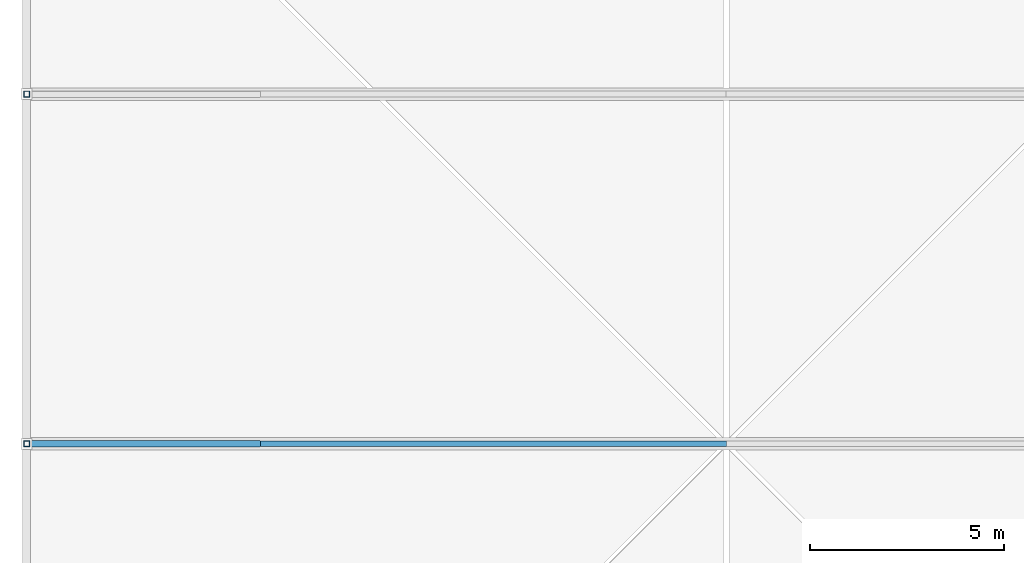
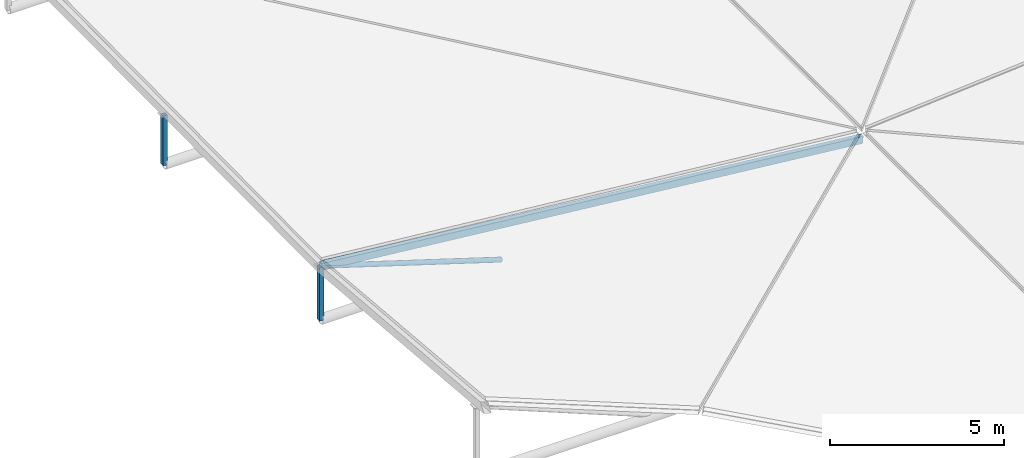
# One storey, part 29 of 44: 4 members.
"""IFC4 building model written with IfcOpenShell, lengths in metres."""

from ifc_helpers import new_model, si_unit, direction, frame, origin, origin_2d, place, context, subcontext, project, spatial, hollow_rectangle, hollow_circle, extrude, material, material_profile, profile_set, type_object, element, save


model = new_model("IFC4")

# Units and contexts
model_context = context("Model", 3, precision=1e-05, world=origin(), true_north=direction((0.0, 1.0)))
body_context = subcontext(model_context, "Body", "Model", "MODEL_VIEW")
ifc_project = project(units=[si_unit("LENGTHUNIT", "METRE"), si_unit("AREAUNIT", "SQUARE_METRE"), si_unit("VOLUMEUNIT", "CUBIC_METRE"), si_unit("PLANEANGLEUNIT", "RADIAN"), si_unit("MASSUNIT", "GRAM", prefix="KILO")], contexts=[model_context])

# Site, building, storey
site_placement = place(None, origin())
site = spatial("IfcSite", under=ifc_project, at=site_placement, CompositionType="ELEMENT")
building_placement = place(site_placement, origin())
building = spatial("IfcBuilding", under=site, at=building_placement, Name="Deido Ridge Mobility Hub", CompositionType="ELEMENT")
storey_placement = place(building_placement, frame((0.0, 0.0, 25.199951171875)))
storey = spatial("IfcBuildingStorey", under=building, at=storey_placement, Name="L06", CompositionType="ELEMENT", Elevation=25.199951171875)

# Members
ifc_material = material(Name="Steel S355J2H EN 10210-1", Category="steel")
ifc_material_profile_1 = material_profile(ifc_material, hollow_rectangle(XDim=0.14990234375, YDim=0.14990234375, WallThickness=0.008056640625, at=origin_2d()), Name="SHS 150x150x8")
ifc_profile_set_1 = profile_set([ifc_material_profile_1], Name="Steel S355J2H EN 10210-1")
member_type_1 = type_object("IfcMemberType", Name="MEM-PST-SHS150", PredefinedType="POST", material=ifc_profile_set_1)
member_1_placement = place(storey_placement, frame((63.0, 63.0, 0.0), z_axis=(0.0, 0.0, 1.0), x_axis=(1.0, 0.0, 0.0)))
element("IfcMember", 1, at=member_1_placement, inside=storey, type_object=member_type_1, Name="Origami eaves post PS1", PredefinedType="POST", context=body_context, shape_type="SweptSolid", body=[
    extrude(hollow_rectangle(XDim=0.14990234375, YDim=0.14990234375, WallThickness=0.008056640625, at=origin_2d()), origin(), (0.0, 0.0, 1.0), 1.880126953125),
])
member_2_placement = place(storey_placement, frame((63.0, 72.0, 0.0), z_axis=(0.0, 0.0, 1.0), x_axis=(1.0, 0.0, 0.0)))
element("IfcMember", 2, at=member_2_placement, inside=storey, type_object=member_type_1, Name="Origami eaves post PS1", PredefinedType="POST", context=body_context, shape_type="SweptSolid", body=[
    extrude(hollow_rectangle(XDim=0.14990234375, YDim=0.14990234375, WallThickness=0.008056640625, at=origin_2d()), origin(), (0.0, 0.0, 1.0), 1.75),
])
ifc_material_profile_2 = material_profile(ifc_material, hollow_rectangle(XDim=0.14990234375, YDim=0.25, WallThickness=0.010009765625, at=origin_2d()), Name="RHS 250x150x10")
ifc_profile_set_2 = profile_set([ifc_material_profile_2], Name="Steel S355J2H EN 10210-1")
member_type_2 = type_object("IfcMemberType", Name="MEM-RAF-RHS250", PredefinedType="RAFTER", material=ifc_profile_set_2)
member_3_placement = place(storey_placement, frame((63.0, 63.0, 1.880126953125), z_axis=(0.994871231136, 0.0, -0.10114955985), x_axis=(0.0, 1.0, 0.0)))
element("IfcMember", 3, at=member_3_placement, inside=storey, type_object=member_type_2, Name="Sports origami rafter RF1", PredefinedType="RAFTER", context=body_context, shape_type="SweptSolid", body=[
    extrude(hollow_rectangle(XDim=0.14990234375, YDim=0.25, WallThickness=0.010009765625, at=origin_2d()), origin(), (0.0, 0.0, 1.0), 18.0927734375),
])
ifc_material_profile_3 = material_profile(ifc_material, hollow_circle(Radius=0.084228515625, WallThickness=0.008056640625, at=origin_2d()), Name="CHS 168.3x8")
ifc_profile_set_3 = profile_set([ifc_material_profile_3], Name="Steel S355J2H EN 10210-1")
member_type_3 = type_object("IfcMemberType", Name="MEM-STR-CHS168", PredefinedType="STRUT", material=ifc_profile_set_3)
member_4_placement = place(storey_placement, frame((69.0, 63.0, 0.0), z_axis=(-0.954247547445, 0.0, 0.299017755651), x_axis=(0.0, -1.0, 0.0)))
element("IfcMember", 4, at=member_4_placement, inside=storey, type_object=member_type_3, Name="Origami diagonal web SR1", PredefinedType="STRUT", context=body_context, shape_type="SweptSolid", body=[
    extrude(hollow_circle(Radius=0.084228515625, WallThickness=0.008056640625, at=origin_2d()), origin(), (0.0, 0.0, 1.0), 6.28759765625),
])

save(model, "model.ifc")
